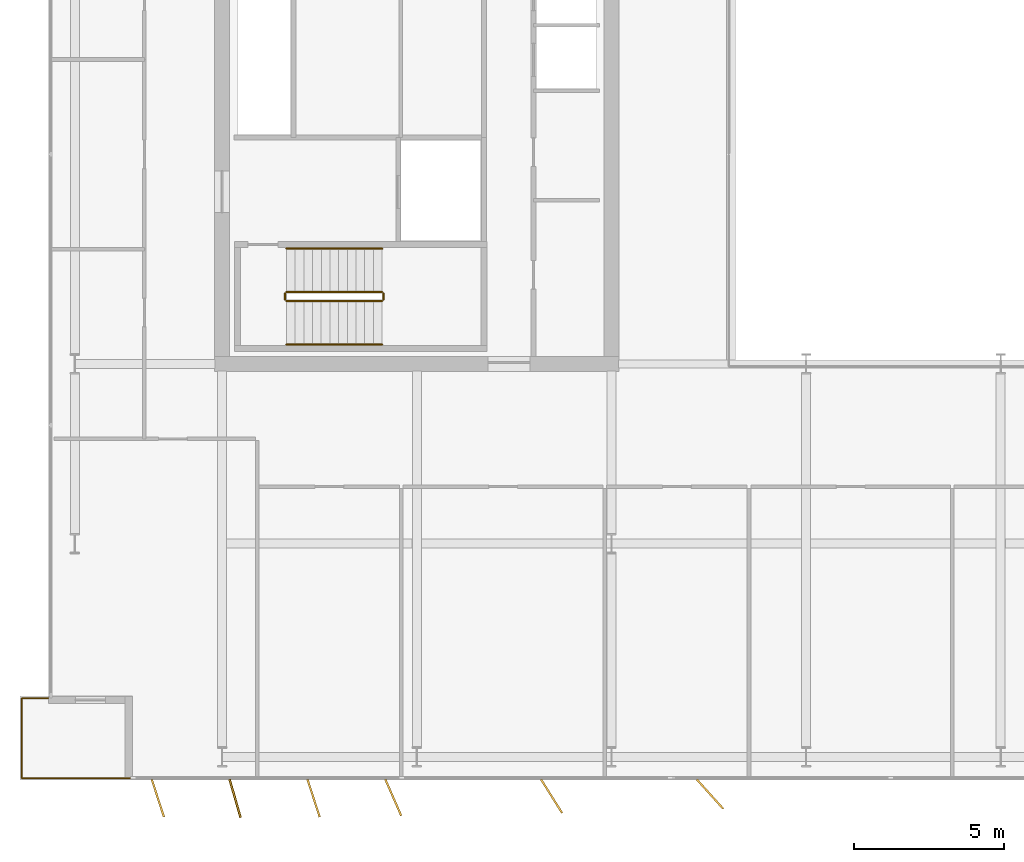
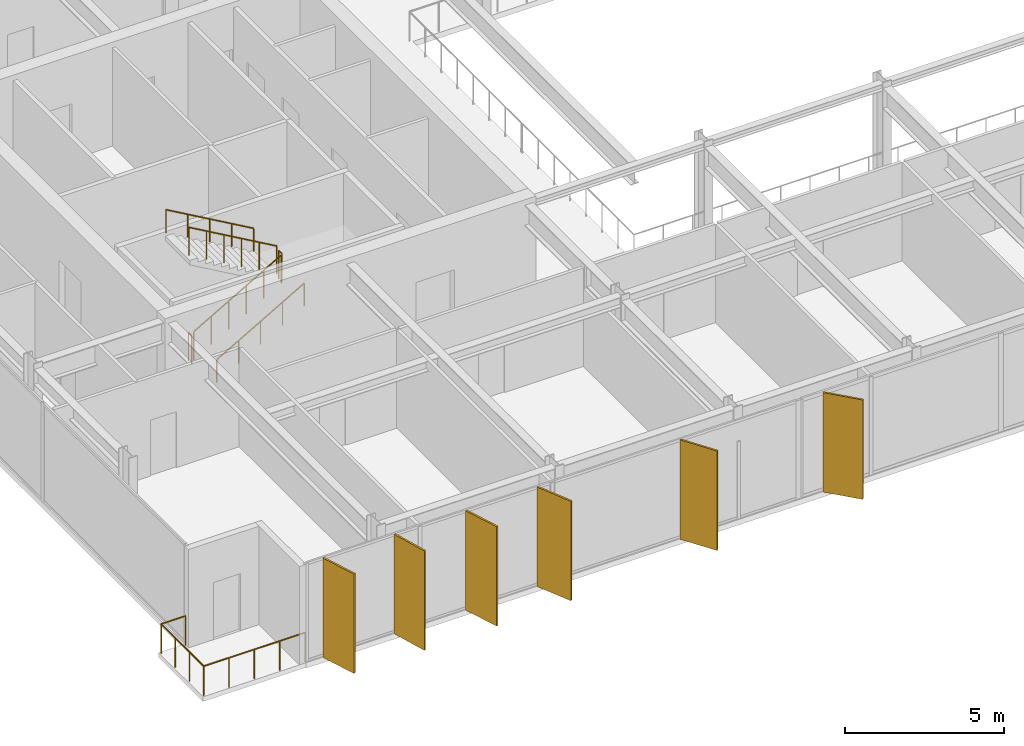
# One storey, part 17 of 20: 7 railings, 6 shading devices.
"""IFC4 building model written with IfcOpenShell, lengths in metres."""

import ifcopenshell
import ifcopenshell.guid

model = None  # the IFC model being written
_history = None  # IfcOwnerHistory: only IFC2X3 demands one
_inside = {}  # id of a spatial element -> (the spatial element, [elements in it])
_under = {}  # id of a project, library or spatial element -> (it, [spatial elements below it])
_declared = {}  # id of a project -> (the project, [libraries it declares])
_typed = {}  # id of a type object -> (the type object, [elements of that type])
_made_of = {}  # id of a material, layer set ... -> (it, [elements and type objects made of it])


def new_model(schema):
    """Start an empty IFC model of exactly this schema.

    Asked for "IFC4X3", IfcOpenShell would pick the latest addendum, in which some entities
    have other attributes; the version numbers below select the first issue.
    IFC2X3 requires an IfcOwnerHistory on every rooted entity: one is made here for all.
    """
    global model, _history
    if schema == "IFC4X3":
        model = ifcopenshell.file(schema_version=(4, 3, 0, 0))
    else:
        model = ifcopenshell.file(schema=schema)
    _inside.clear()
    _under.clear()
    _declared.clear()
    _typed.clear()
    _made_of.clear()
    _history = None
    if model.schema == "IFC2X3":
        org = make("IfcOrganization", Name="unknown")
        user = make(
            "IfcPersonAndOrganization",
            ThePerson=make("IfcPerson", FamilyName="unknown"),
            TheOrganization=org,
        )
        app = make(
            "IfcApplication",
            ApplicationDeveloper=org,
            Version="unknown",
            ApplicationFullName="unknown",
            ApplicationIdentifier="unknown",
        )
        _history = make(
            "IfcOwnerHistory",
            OwningUser=user,
            OwningApplication=app,
            ChangeAction="ADDED",
            CreationDate=0,
        )
    return model


def make(cls, **values):
    """One entity of the class cls with the attributes given. An attribute that is None is left unset."""
    return model.create_entity(
        cls, **{name: value for name, value in values.items() if value is not None}
    )


def rooted(cls, **values):
    """An entity with a GlobalId (a new one), such as an element, a storey or a relation."""
    return make(cls, GlobalId=ifcopenshell.guid.new(), OwnerHistory=_history, **values)


def si_unit(unit_type, name, prefix=None):
    """IfcSIUnit, for example si_unit("LENGTHUNIT", "METRE", prefix="MILLI")."""
    return make("IfcSIUnit", UnitType=unit_type, Prefix=prefix, Name=name)


def assignment(units):
    """IfcUnitAssignment: the units of a project."""
    return None if units is None else make("IfcUnitAssignment", Units=units)


def point(xyz):
    """IfcCartesianPoint."""
    return None if xyz is None else make("IfcCartesianPoint", Coordinates=xyz)


def direction(xyz):
    """IfcDirection."""
    return None if xyz is None else make("IfcDirection", DirectionRatios=xyz)


def frame(location, z_axis=None, x_axis=None):
    """IfcAxis2Placement3D, a coordinate frame: its origin and axes. An axis left out is left unset."""
    return make(
        "IfcAxis2Placement3D",
        Location=point(location),
        Axis=direction(z_axis),
        RefDirection=direction(x_axis),
    )


def frame_2d(location, x_axis=None):
    """IfcAxis2Placement2D, a coordinate frame in the plane: its origin and x axis."""
    return make(
        "IfcAxis2Placement2D", Location=point(location), RefDirection=direction(x_axis)
    )


def origin():
    """The frame at (0, 0, 0) with its axes left unset."""
    return frame((0.0, 0.0, 0.0))


def origin_2d():
    """The frame at (0, 0) in the plane with its x axis left unset."""
    return frame_2d((0.0, 0.0))


def place(relative_to, where):
    """IfcLocalPlacement: puts the frame where relative to a parent placement (None: the world)."""
    return make(
        "IfcLocalPlacement", PlacementRelTo=relative_to, RelativePlacement=where
    )


def context(
    kind, dimensions, precision=None, world=None, true_north=None, identifier=None
):
    """IfcGeometricRepresentationContext, for example the 3D "Model" context."""
    return make(
        "IfcGeometricRepresentationContext",
        ContextIdentifier=identifier,
        ContextType=kind,
        CoordinateSpaceDimension=dimensions,
        Precision=precision,
        WorldCoordinateSystem=world,
        TrueNorth=true_north,
    )


def subcontext(parent, identifier, kind, view, scale=None):
    """IfcGeometricRepresentationSubContext, for example "Body" below "Model"."""
    return make(
        "IfcGeometricRepresentationSubContext",
        ContextIdentifier=identifier,
        ContextType=kind,
        ParentContext=parent,
        TargetScale=scale,
        TargetView=view,
    )


def project(units=None, contexts=None):
    """IfcProject with its units and contexts."""
    return rooted(
        "IfcProject",
        Name="project",
        RepresentationContexts=contexts,
        UnitsInContext=assignment(units),
    )


def spatial(cls, under=None, at=None, **own):
    """A site, building, storey or space (cls), placed at a placement, below another one or the project."""
    s = rooted(cls, ObjectPlacement=at, **own)
    if under is not None:
        _under.setdefault(under.id(), (under, []))[1].append(s)
    return s


def profile(cls, at=None, kind="AREA", **sizes):
    """A parametric profile (cls). Its sizes go by their IFC names, for example OverallWidth=200.0."""
    return make(cls, ProfileType=kind, Position=at, **sizes)


def rectangle(**sizes):
    """IfcRectangleProfileDef."""
    return profile("IfcRectangleProfileDef", **sizes)


def circle(**sizes):
    """IfcCircleProfileDef."""
    return profile("IfcCircleProfileDef", **sizes)


def extrude(swept, where, along, depth):
    """IfcExtrudedAreaSolid: the profile swept, set in the frame where, extruded along a direction by depth."""
    return make(
        "IfcExtrudedAreaSolid",
        SweptArea=swept,
        Position=where,
        ExtrudedDirection=direction(along),
        Depth=depth,
    )


def shape(context_of_items, identifier, shape_type, items):
    """IfcShapeRepresentation: the items that make up one representation, for example the "Body"."""
    return make(
        "IfcShapeRepresentation",
        ContextOfItems=context_of_items,
        RepresentationIdentifier=identifier,
        RepresentationType=shape_type,
        Items=items,
    )


def material(Name=None, Category=None):
    """IfcMaterial."""
    return make("IfcMaterial", Name=Name, Category=Category)


def layer(
    of_material, thickness, ventilated=None, Name=None, Category=None, Priority=None
):
    """IfcMaterialLayer: one layer of a wall or slab, of a material (None: an air gap)."""
    return make(
        "IfcMaterialLayer",
        Material=of_material,
        LayerThickness=thickness,
        IsVentilated=ventilated,
        Name=Name,
        Category=Category,
        Priority=Priority,
    )


def layer_set(layers, Name=None):
    """IfcMaterialLayerSet."""
    return make("IfcMaterialLayerSet", MaterialLayers=layers, LayerSetName=Name)


def made_of(thing, what):
    """Note that an element or type object is made of a material, layer set ...; save() writes the relation."""
    if what is not None:
        _made_of.setdefault(what.id(), (what, []))[1].append(thing)
    return thing


def type_object(cls, material=None, **own):
    """A type object (cls), such as IfcWallType, which elements share."""
    return made_of(rooted(cls, **own), material)


def element(
    cls,
    number,
    at=None,
    inside=None,
    cuts=None,
    type_object=None,
    material=None,
    context=None,
    identifier="Body",
    shape_type=None,
    held_by="IfcProductDefinitionShape",
    body=None,
    shapes=None,
    **own,
):
    """One element of the class cls, such as IfcWall. Its Tag is "e" and its number.

    at: its placement. inside: the storey or other place that contains it. cuts: it is an
    opening in that element (IfcRelVoidsElement). A single representation is given by context,
    identifier, shape_type and body (its items); several are given by shapes. held_by: the class
    of the entity that holds the representations. save() writes the other relations.
    """
    e = rooted(cls, Tag="e%d" % number, ObjectPlacement=at, **own)
    if body is not None:
        shapes = [shape(context, identifier, shape_type, body)]
    if shapes is not None:
        e.Representation = make(held_by, Representations=shapes)
    if inside is not None:
        _inside.setdefault(inside.id(), (inside, []))[1].append(e)
    if cuts is not None:
        rooted(
            "IfcRelVoidsElement", RelatingBuildingElement=cuts, RelatedOpeningElement=e
        )
    if type_object is not None:
        _typed.setdefault(type_object.id(), (type_object, []))[1].append(e)
    return made_of(e, material)


def aggregate(whole, parts):
    """IfcRelAggregates: a whole, such as a stair, and the parts it consists of."""
    return rooted("IfcRelAggregates", RelatingObject=whole, RelatedObjects=parts)


def save(model, path):
    """Write the relations noted so far, then the file.

    IfcRelAggregates (storeys below a building ...), IfcRelContainedInSpatialStructure (elements
    in a storey), IfcRelDefinesByType, IfcRelAssociatesMaterial and IfcRelDeclares: one each for
    every whole, place, type object, material and project.
    """
    for whole, parts in _under.values():
        aggregate(whole, parts)
    for where, things in _inside.values():
        rooted(
            "IfcRelContainedInSpatialStructure",
            RelatedElements=things,
            RelatingStructure=where,
        )
    for kind, things in _typed.values():
        rooted("IfcRelDefinesByType", RelatedObjects=things, RelatingType=kind)
    for what, things in _made_of.values():
        rooted("IfcRelAssociatesMaterial", RelatedObjects=things, RelatingMaterial=what)
    for by, libraries in _declared.values():
        rooted("IfcRelDeclares", RelatingContext=by, RelatedDefinitions=libraries)
    model.write(path)


model = new_model("IFC4")

# Units and contexts
model_context = context("Model", 3, precision=1e-05, world=origin(), true_north=direction((0.0, 1.0)))
body_context = subcontext(model_context, "Body", "Model", "MODEL_VIEW")
ifc_project = project(units=[si_unit("LENGTHUNIT", "METRE"), si_unit("AREAUNIT", "SQUARE_METRE"), si_unit("VOLUMEUNIT", "CUBIC_METRE"), si_unit("PLANEANGLEUNIT", "RADIAN"), si_unit("MASSUNIT", "GRAM", prefix="KILO")], contexts=[model_context])

# Site, building, storey
site_placement = place(None, origin())
site = spatial("IfcSite", under=ifc_project, at=site_placement, CompositionType="ELEMENT")
building_placement = place(site_placement, origin())
building = spatial("IfcBuilding", under=site, at=building_placement, Name="Putna Gate Headquarters", CompositionType="ELEMENT")
storey_placement = place(building_placement, frame((0.0, 0.0, 290.39990234375)))
storey = spatial("IfcBuildingStorey", under=building, at=storey_placement, Name="L73", CompositionType="ELEMENT", Elevation=290.39990234375)

# Railings
ifc_material_1 = material(Name="Powder-coated steel stair guardrail", Category="steel")
railing_type_1 = type_object("IfcRailingType", Name="RAIL-STAIR-GUARD-1100", PredefinedType="GUARDRAIL", material=ifc_material_1)
railing_1_placement = place(storey_placement, frame((15.14990234375, 21.10009765625, 0.166748046875)))
element("IfcRailing", 1, at=railing_1_placement, inside=storey, type_object=railing_type_1, Name="L73 ST1 stair guard 1", PredefinedType="GUARDRAIL", context=body_context, shape_type="SweptSolid", body=[
    extrude(circle(Radius=0.02392578125, at=origin_2d()), frame((0.0, 0.0, 1.076171875), z_axis=(0.8670360191, 0.0, 0.498245463184), x_axis=(0.0, 1.0, 0.0)), (0.0, 0.0, 1.0), 3.679443359375),
    extrude(circle(Radius=0.02099609375, at=origin_2d()), origin(), (0.0, 0.0, 1.0), 1.052001953125),
    extrude(circle(Radius=0.02099609375, at=origin_2d()), frame((0.637939453125, 0.0, 0.36669921875)), (0.0, 0.0, 1.0), 1.052001953125),
    extrude(circle(Radius=0.02099609375, at=origin_2d()), frame((1.276123046875, 0.0, 0.7333984375)), (0.0, 0.0, 1.0), 1.052001953125),
    extrude(circle(Radius=0.02099609375, at=origin_2d()), frame((1.9140625, 0.0, 1.099853515625)), (0.0, 0.0, 1.0), 1.052001953125),
    extrude(circle(Radius=0.02099609375, at=origin_2d()), frame((2.55224609375, 0.0, 1.466552734375)), (0.0, 0.0, 1.0), 1.052001953125),
    extrude(circle(Radius=0.02099609375, at=origin_2d()), frame((3.190185546875, 0.0, 1.833251953125)), (0.0, 0.0, 1.0), 1.052001953125),
])
railing_2_placement = place(storey_placement, frame((18.389892578125, 21.14990234375, 2.0)))
element("IfcRailing", 2, at=railing_2_placement, inside=storey, type_object=railing_type_1, Name="L73 ST1 stair guard 2", PredefinedType="GUARDRAIL", context=body_context, shape_type="SweptSolid", body=[
    extrude(circle(Radius=0.02392578125, at=origin_2d()), frame((0.0, 0.0, 1.076171875), z_axis=(0.0, 1.0, 0.0), x_axis=(-1.0, 0.0, 0.0)), (0.0, 0.0, 1.0), 0.2001953125),
    extrude(circle(Radius=0.02099609375, at=origin_2d()), origin(), (0.0, 0.0, 1.0), 1.052001953125),
    extrude(circle(Radius=0.02099609375, at=origin_2d()), frame((0.0, 0.2001953125, 0.0)), (0.0, 0.0, 1.0), 1.052001953125),
])
railing_3_placement = place(storey_placement, frame((18.340087890625, 21.39990234375, 2.166748046875)))
element("IfcRailing", 3, at=railing_3_placement, inside=storey, type_object=railing_type_1, Name="L73 ST1 stair guard 3", PredefinedType="GUARDRAIL", context=body_context, shape_type="SweptSolid", body=[
    extrude(circle(Radius=0.02392578125, at=origin_2d()), frame((0.0, 0.0, 1.076171875), z_axis=(-0.8670360191, 0.0, 0.498245463184), x_axis=(0.0, -1.0, 0.0)), (0.0, 0.0, 1.0), 3.679443359375),
    extrude(circle(Radius=0.02099609375, at=origin_2d()), origin(), (0.0, 0.0, 1.0), 1.052001953125),
    extrude(circle(Radius=0.02099609375, at=origin_2d()), frame((-0.637939453125, 0.0, 0.36669921875)), (0.0, 0.0, 1.0), 1.052001953125),
    extrude(circle(Radius=0.02099609375, at=origin_2d()), frame((-1.276123046875, 0.0, 0.7333984375)), (0.0, 0.0, 1.0), 1.052001953125),
    extrude(circle(Radius=0.02099609375, at=origin_2d()), frame((-1.9140625, 0.0, 1.099853515625)), (0.0, 0.0, 1.0), 1.052001953125),
    extrude(circle(Radius=0.02099609375, at=origin_2d()), frame((-2.55224609375, 0.0, 1.466552734375)), (0.0, 0.0, 1.0), 1.052001953125),
    extrude(circle(Radius=0.02099609375, at=origin_2d()), frame((-3.190185546875, 0.0, 1.833251953125)), (0.0, 0.0, 1.0), 1.052001953125),
])
railing_4_placement = place(storey_placement, frame((15.10009765625, 21.14990234375, 0.0)))
element("IfcRailing", 4, at=railing_4_placement, inside=storey, type_object=railing_type_1, Name="L73 ST1 stair guard 4", PredefinedType="GUARDRAIL", context=body_context, shape_type="SweptSolid", body=[
    extrude(circle(Radius=0.02392578125, at=origin_2d()), frame((0.0, 0.0, 1.076171875), z_axis=(0.0, 1.0, 0.0), x_axis=(-1.0, 0.0, 0.0)), (0.0, 0.0, 1.0), 0.2001953125),
    extrude(circle(Radius=0.02099609375, at=origin_2d()), origin(), (0.0, 0.0, 1.0), 1.052001953125),
    extrude(circle(Radius=0.02099609375, at=origin_2d()), frame((0.0, 0.2001953125, 0.0)), (0.0, 0.0, 1.0), 1.052001953125),
])
ifc_material_2 = material(Name="Brushed stainless steel handrail", Category="steel")
railing_type_2 = type_object("IfcRailingType", Name="RAIL-STAIR-HAND-900", PredefinedType="HANDRAIL", material=ifc_material_2)
railing_5_placement = place(storey_placement, frame((15.14990234375, 19.64990234375, 0.166748046875)))
element("IfcRailing", 5, at=railing_5_placement, inside=storey, type_object=railing_type_2, Name="L73 ST1 stair handrail 1", PredefinedType="HANDRAIL", context=body_context, shape_type="SweptSolid", body=[
    extrude(circle(Radius=0.02392578125, at=origin_2d()), frame((0.0, 0.0, 0.8759765625), z_axis=(0.8670360191, 0.0, 0.498245463184), x_axis=(0.0, 1.0, 0.0)), (0.0, 0.0, 1.0), 3.679443359375),
    extrude(circle(Radius=0.02099609375, at=origin_2d()), origin(), (0.0, 0.0, 1.0), 0.851806640625),
    extrude(circle(Radius=0.02099609375, at=origin_2d()), frame((0.797607421875, 0.0, 0.458251953125)), (0.0, 0.0, 1.0), 0.851806640625),
    extrude(circle(Radius=0.02099609375, at=origin_2d()), frame((1.59521484375, 0.0, 0.91650390625)), (0.0, 0.0, 1.0), 0.851806640625),
    extrude(circle(Radius=0.02099609375, at=origin_2d()), frame((2.392578125, 0.0, 1.375)), (0.0, 0.0, 1.0), 0.851806640625),
    extrude(circle(Radius=0.02099609375, at=origin_2d()), frame((3.190185546875, 0.0, 1.833251953125)), (0.0, 0.0, 1.0), 0.851806640625),
])
railing_6_placement = place(storey_placement, frame((18.340087890625, 22.85009765625, 2.166748046875)))
element("IfcRailing", 6, at=railing_6_placement, inside=storey, type_object=railing_type_2, Name="L73 ST1 stair handrail 2", PredefinedType="HANDRAIL", context=body_context, shape_type="SweptSolid", body=[
    extrude(circle(Radius=0.02392578125, at=origin_2d()), frame((0.0, 0.0, 0.8759765625), z_axis=(-0.8670360191, 0.0, 0.498245463184), x_axis=(0.0, -1.0, 0.0)), (0.0, 0.0, 1.0), 3.679443359375),
    extrude(circle(Radius=0.02099609375, at=origin_2d()), origin(), (0.0, 0.0, 1.0), 0.851806640625),
    extrude(circle(Radius=0.02099609375, at=origin_2d()), frame((-0.797607421875, 0.0, 0.458251953125)), (0.0, 0.0, 1.0), 0.851806640625),
    extrude(circle(Radius=0.02099609375, at=origin_2d()), frame((-1.59521484375, 0.0, 0.91650390625)), (0.0, 0.0, 1.0), 0.851806640625),
    extrude(circle(Radius=0.02099609375, at=origin_2d()), frame((-2.392578125, 0.0, 1.375)), (0.0, 0.0, 1.0), 0.851806640625),
    extrude(circle(Radius=0.02099609375, at=origin_2d()), frame((-3.190185546875, 0.0, 1.833251953125)), (0.0, 0.0, 1.0), 0.851806640625),
])
ifc_material_3 = material(Name="Anodised bronze steel and laminated glass guardrail", Category="steel")
railing_type_3 = type_object("IfcRailingType", Name="RAIL-TERR-GUARD-1150", PredefinedType="GUARDRAIL", material=ifc_material_3)
railing_7_placement = place(storey_placement, frame((10.0, 5.159912109375, 0.0)))
element("IfcRailing", 7, at=railing_7_placement, inside=storey, type_object=railing_type_3, Name="L73 Spiral Sky Terrace Guardrail SW", PredefinedType="GUARDRAIL", context=body_context, shape_type="SweptSolid", body=[
    extrude(circle(Radius=0.02392578125, at=origin_2d()), frame((0.0, 0.0, 1.1259765625), z_axis=(-1.0, 0.0, 0.0), x_axis=(0.0, -1.0, 0.0)), (0.0, 0.0, 1.0), 3.68994140625),
    extrude(circle(Radius=0.02392578125, at=origin_2d()), frame((-3.68994140625, 0.0, 1.1259765625), z_axis=(0.0, 1.0, 0.0), x_axis=(-1.0, 0.0, 0.0)), (0.0, 0.0, 1.0), 2.68017578125),
    extrude(circle(Radius=0.02392578125, at=origin_2d()), frame((-3.68994140625, 2.68017578125, 1.1259765625), z_axis=(1.0, 0.0, 0.0), x_axis=(0.0, 1.0, 0.0)), (0.0, 0.0, 1.0), 0.889892578125),
    extrude(circle(Radius=0.02099609375, at=origin_2d()), origin(), (0.0, 0.0, 1.0), 1.101806640625),
    extrude(circle(Radius=0.02099609375, at=origin_2d()), frame((-0.92236328125, 0.0, 0.0)), (0.0, 0.0, 1.0), 1.101806640625),
    extrude(circle(Radius=0.02099609375, at=origin_2d()), frame((-1.844970703125, 0.0, 0.0)), (0.0, 0.0, 1.0), 1.101806640625),
    extrude(circle(Radius=0.02099609375, at=origin_2d()), frame((-2.767578125, 0.0, 0.0)), (0.0, 0.0, 1.0), 1.101806640625),
    extrude(circle(Radius=0.02099609375, at=origin_2d()), frame((-3.68994140625, 0.0, 0.0)), (0.0, 0.0, 1.0), 1.101806640625),
    extrude(circle(Radius=0.02099609375, at=origin_2d()), frame((-3.68994140625, 0.893310546875, 0.0)), (0.0, 0.0, 1.0), 1.101806640625),
    extrude(circle(Radius=0.02099609375, at=origin_2d()), frame((-3.68994140625, 1.786865234375, 0.0)), (0.0, 0.0, 1.0), 1.101806640625),
    extrude(circle(Radius=0.02099609375, at=origin_2d()), frame((-3.68994140625, 2.68017578125, 0.0)), (0.0, 0.0, 1.0), 1.101806640625),
    extrude(circle(Radius=0.02099609375, at=origin_2d()), frame((-2.800048828125, 2.68017578125, 0.0)), (0.0, 0.0, 1.0), 1.101806640625),
])

# Shading devices
ifc_material_4 = material(Name="Anodised architectural bronze aluminium fin", Category="aluminium")
ifc_layer = layer(ifc_material_4, 0.06494140625)
ifc_layer_set = layer_set([ifc_layer], Name="Anodised architectural bronze aluminium fin")
shading_device_type = type_object("IfcShadingDeviceType", Name="SHADE-BRONZE-FIN-1320", PredefinedType="USERDEFINED", material=ifc_layer_set)
for number, where, z_axis, x_axis, name in (
    (8, (10.853759765625, 4.497314453125, -0.02001953125), (0.0, 0.0, 1.0), (0.308684994204, -0.951164325631, 0.0), "L73 Bronze Vertical Shading Fin S1"),
    (9, (13.431884765625, 4.490478515625, -0.02001953125), (0.0, 0.0, 1.0), (0.275637355817, -0.961261695938, 0.0), "L73 Bronze Vertical Shading Fin S2"),
    (10, (16.0537109375, 4.497314453125, -0.02001953125), (0.0, 0.0, 1.0), (0.308684994204, -0.951164325631, 0.0), "L73 Bronze Vertical Shading Fin S3"),
    (11, (18.71435546875, 4.520263671875, -0.02001953125), (0.0, 0.0, 1.0), (0.400668879095, -0.916222925562, 0.0), "L73 Bronze Vertical Shading Fin S4"),
    (12, (24.000244140625, 4.565673828125, -0.02001953125), (0.0, 0.0, 1.0), (0.530659123936, -0.847585331506, 0.0), "L73 Bronze Vertical Shading Fin S5"),
    (13, (29.29150390625, 4.634521484375, -0.02001953125), (0.0, 0.0, 1.0), (0.669130606359, -0.743144825477, 0.0), "L73 Bronze Vertical Shading Fin S6"),
):
    element("IfcShadingDevice", number, at=place(storey_placement, frame(where, z_axis=z_axis, x_axis=x_axis)), inside=storey, type_object=shading_device_type, Name=name, ObjectType="FIN", PredefinedType="USERDEFINED", context=body_context, shape_type="SweptSolid", body=[
        extrude(rectangle(XDim=1.320068359375, YDim=0.06494140625, at=origin_2d()), origin(), (0.0, 0.0, 1.0), 3.827880859375),
    ])

save(model, "model.ifc")
